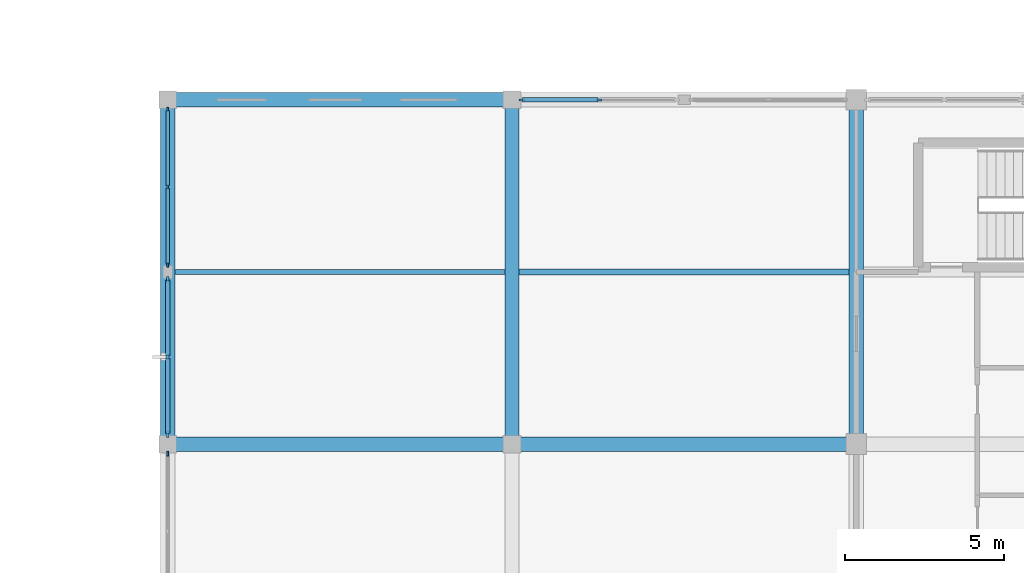
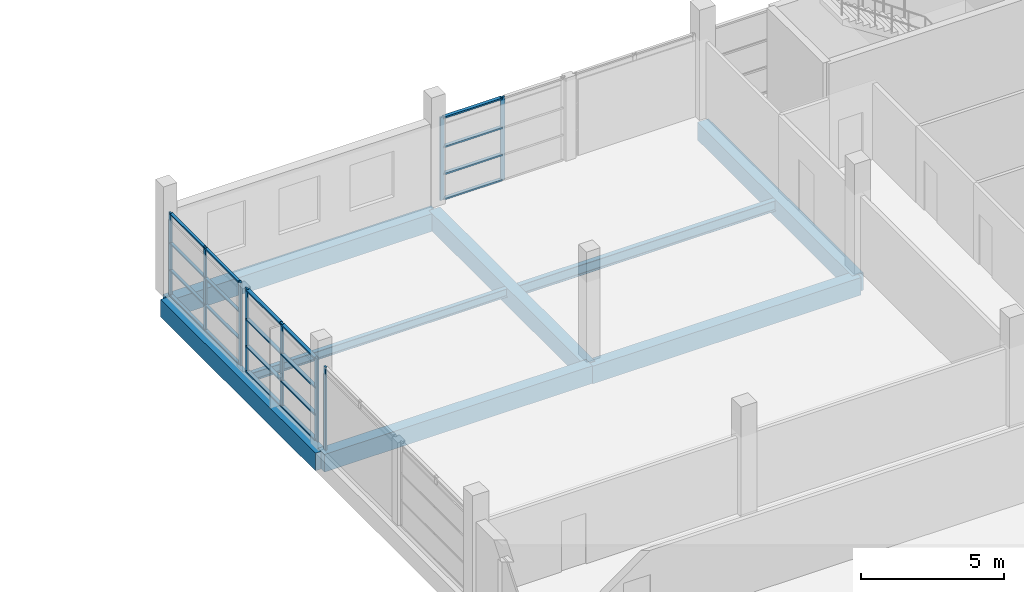
# One storey, part 7 of 24: 29 members, 8 beams, 4 elements without a shape of their own.
"""IFC4 building model written with IfcOpenShell, lengths in metres."""

import ifcopenshell
import ifcopenshell.guid

model = None  # the IFC model being written
_history = None  # IfcOwnerHistory: only IFC2X3 demands one
_inside = {}  # id of a spatial element -> (the spatial element, [elements in it])
_under = {}  # id of a project, library or spatial element -> (it, [spatial elements below it])
_declared = {}  # id of a project -> (the project, [libraries it declares])
_typed = {}  # id of a type object -> (the type object, [elements of that type])
_made_of = {}  # id of a material, layer set ... -> (it, [elements and type objects made of it])


def new_model(schema):
    """Start an empty IFC model of exactly this schema.

    Asked for "IFC4X3", IfcOpenShell would pick the latest addendum, in which some entities
    have other attributes; the version numbers below select the first issue.
    IFC2X3 requires an IfcOwnerHistory on every rooted entity: one is made here for all.
    """
    global model, _history
    if schema == "IFC4X3":
        model = ifcopenshell.file(schema_version=(4, 3, 0, 0))
    else:
        model = ifcopenshell.file(schema=schema)
    _inside.clear()
    _under.clear()
    _declared.clear()
    _typed.clear()
    _made_of.clear()
    _history = None
    if model.schema == "IFC2X3":
        org = make("IfcOrganization", Name="unknown")
        user = make(
            "IfcPersonAndOrganization",
            ThePerson=make("IfcPerson", FamilyName="unknown"),
            TheOrganization=org,
        )
        app = make(
            "IfcApplication",
            ApplicationDeveloper=org,
            Version="unknown",
            ApplicationFullName="unknown",
            ApplicationIdentifier="unknown",
        )
        _history = make(
            "IfcOwnerHistory",
            OwningUser=user,
            OwningApplication=app,
            ChangeAction="ADDED",
            CreationDate=0,
        )
    return model


def make(cls, **values):
    """One entity of the class cls with the attributes given. An attribute that is None is left unset."""
    return model.create_entity(
        cls, **{name: value for name, value in values.items() if value is not None}
    )


def rooted(cls, **values):
    """An entity with a GlobalId (a new one), such as an element, a storey or a relation."""
    return make(cls, GlobalId=ifcopenshell.guid.new(), OwnerHistory=_history, **values)


def si_unit(unit_type, name, prefix=None):
    """IfcSIUnit, for example si_unit("LENGTHUNIT", "METRE", prefix="MILLI")."""
    return make("IfcSIUnit", UnitType=unit_type, Prefix=prefix, Name=name)


def assignment(units):
    """IfcUnitAssignment: the units of a project."""
    return None if units is None else make("IfcUnitAssignment", Units=units)


def point(xyz):
    """IfcCartesianPoint."""
    return None if xyz is None else make("IfcCartesianPoint", Coordinates=xyz)


def direction(xyz):
    """IfcDirection."""
    return None if xyz is None else make("IfcDirection", DirectionRatios=xyz)


def frame(location, z_axis=None, x_axis=None):
    """IfcAxis2Placement3D, a coordinate frame: its origin and axes. An axis left out is left unset."""
    return make(
        "IfcAxis2Placement3D",
        Location=point(location),
        Axis=direction(z_axis),
        RefDirection=direction(x_axis),
    )


def frame_2d(location, x_axis=None):
    """IfcAxis2Placement2D, a coordinate frame in the plane: its origin and x axis."""
    return make(
        "IfcAxis2Placement2D", Location=point(location), RefDirection=direction(x_axis)
    )


def origin():
    """The frame at (0, 0, 0) with its axes left unset."""
    return frame((0.0, 0.0, 0.0))


def origin_2d():
    """The frame at (0, 0) in the plane with its x axis left unset."""
    return frame_2d((0.0, 0.0))


def place(relative_to, where):
    """IfcLocalPlacement: puts the frame where relative to a parent placement (None: the world)."""
    return make(
        "IfcLocalPlacement", PlacementRelTo=relative_to, RelativePlacement=where
    )


def context(
    kind, dimensions, precision=None, world=None, true_north=None, identifier=None
):
    """IfcGeometricRepresentationContext, for example the 3D "Model" context."""
    return make(
        "IfcGeometricRepresentationContext",
        ContextIdentifier=identifier,
        ContextType=kind,
        CoordinateSpaceDimension=dimensions,
        Precision=precision,
        WorldCoordinateSystem=world,
        TrueNorth=true_north,
    )


def subcontext(parent, identifier, kind, view, scale=None):
    """IfcGeometricRepresentationSubContext, for example "Body" below "Model"."""
    return make(
        "IfcGeometricRepresentationSubContext",
        ContextIdentifier=identifier,
        ContextType=kind,
        ParentContext=parent,
        TargetScale=scale,
        TargetView=view,
    )


def project(units=None, contexts=None):
    """IfcProject with its units and contexts."""
    return rooted(
        "IfcProject",
        Name="project",
        RepresentationContexts=contexts,
        UnitsInContext=assignment(units),
    )


def spatial(cls, under=None, at=None, **own):
    """A site, building, storey or space (cls), placed at a placement, below another one or the project."""
    s = rooted(cls, ObjectPlacement=at, **own)
    if under is not None:
        _under.setdefault(under.id(), (under, []))[1].append(s)
    return s


def profile(cls, at=None, kind="AREA", **sizes):
    """A parametric profile (cls). Its sizes go by their IFC names, for example OverallWidth=200.0."""
    return make(cls, ProfileType=kind, Position=at, **sizes)


def rectangle(**sizes):
    """IfcRectangleProfileDef."""
    return profile("IfcRectangleProfileDef", **sizes)


def i_section(**sizes):
    """IfcIShapeProfileDef."""
    return profile("IfcIShapeProfileDef", **sizes)


def extrude(swept, where, along, depth):
    """IfcExtrudedAreaSolid: the profile swept, set in the frame where, extruded along a direction by depth."""
    return make(
        "IfcExtrudedAreaSolid",
        SweptArea=swept,
        Position=where,
        ExtrudedDirection=direction(along),
        Depth=depth,
    )


def shape(context_of_items, identifier, shape_type, items):
    """IfcShapeRepresentation: the items that make up one representation, for example the "Body"."""
    return make(
        "IfcShapeRepresentation",
        ContextOfItems=context_of_items,
        RepresentationIdentifier=identifier,
        RepresentationType=shape_type,
        Items=items,
    )


def material(Name=None, Category=None):
    """IfcMaterial."""
    return make("IfcMaterial", Name=Name, Category=Category)


def material_profile(
    of_material, cross_section, Name=None, Category=None, Priority=None
):
    """IfcMaterialProfile: a cross section and its material."""
    return make(
        "IfcMaterialProfile",
        Name=Name,
        Material=of_material,
        Profile=cross_section,
        Priority=Priority,
        Category=Category,
    )


def profile_set(profiles, Name=None, composite=None):
    """IfcMaterialProfileSet."""
    return make(
        "IfcMaterialProfileSet",
        Name=Name,
        MaterialProfiles=profiles,
        CompositeProfile=composite,
    )


def made_of(thing, what):
    """Note that an element or type object is made of a material, layer set ...; save() writes the relation."""
    if what is not None:
        _made_of.setdefault(what.id(), (what, []))[1].append(thing)
    return thing


def type_object(cls, material=None, **own):
    """A type object (cls), such as IfcWallType, which elements share."""
    return made_of(rooted(cls, **own), material)


def element(
    cls,
    number,
    at=None,
    inside=None,
    cuts=None,
    type_object=None,
    material=None,
    context=None,
    identifier="Body",
    shape_type=None,
    held_by="IfcProductDefinitionShape",
    body=None,
    shapes=None,
    **own,
):
    """One element of the class cls, such as IfcWall. Its Tag is "e" and its number.

    at: its placement. inside: the storey or other place that contains it. cuts: it is an
    opening in that element (IfcRelVoidsElement). A single representation is given by context,
    identifier, shape_type and body (its items); several are given by shapes. held_by: the class
    of the entity that holds the representations. save() writes the other relations.
    """
    e = rooted(cls, Tag="e%d" % number, ObjectPlacement=at, **own)
    if body is not None:
        shapes = [shape(context, identifier, shape_type, body)]
    if shapes is not None:
        e.Representation = make(held_by, Representations=shapes)
    if inside is not None:
        _inside.setdefault(inside.id(), (inside, []))[1].append(e)
    if cuts is not None:
        rooted(
            "IfcRelVoidsElement", RelatingBuildingElement=cuts, RelatedOpeningElement=e
        )
    if type_object is not None:
        _typed.setdefault(type_object.id(), (type_object, []))[1].append(e)
    return made_of(e, material)


def aggregate(whole, parts):
    """IfcRelAggregates: a whole, such as a stair, and the parts it consists of."""
    return rooted("IfcRelAggregates", RelatingObject=whole, RelatedObjects=parts)


def save(model, path):
    """Write the relations noted so far, then the file.

    IfcRelAggregates (storeys below a building ...), IfcRelContainedInSpatialStructure (elements
    in a storey), IfcRelDefinesByType, IfcRelAssociatesMaterial and IfcRelDeclares: one each for
    every whole, place, type object, material and project.
    """
    for whole, parts in _under.values():
        aggregate(whole, parts)
    for where, things in _inside.values():
        rooted(
            "IfcRelContainedInSpatialStructure",
            RelatedElements=things,
            RelatingStructure=where,
        )
    for kind, things in _typed.values():
        rooted("IfcRelDefinesByType", RelatedObjects=things, RelatingType=kind)
    for what, things in _made_of.values():
        rooted("IfcRelAssociatesMaterial", RelatedObjects=things, RelatingMaterial=what)
    for by, libraries in _declared.values():
        rooted("IfcRelDeclares", RelatingContext=by, RelatedDefinitions=libraries)
    model.write(path)


model = new_model("IFC4")

# Units and contexts
model_context = context("Model", 3, precision=1e-05, world=origin(), true_north=direction((0.0, 1.0)))
body_context = subcontext(model_context, "Body", "Model", "MODEL_VIEW")
ifc_project = project(units=[si_unit("LENGTHUNIT", "METRE"), si_unit("AREAUNIT", "SQUARE_METRE"), si_unit("VOLUMEUNIT", "CUBIC_METRE"), si_unit("PLANEANGLEUNIT", "RADIAN"), si_unit("MASSUNIT", "GRAM", prefix="KILO")], contexts=[model_context])

# Site, building, storey
site_placement = place(None, origin())
site = spatial("IfcSite", under=ifc_project, at=site_placement, CompositionType="ELEMENT")
building_placement = place(site_placement, origin())
building = spatial("IfcBuilding", under=site, at=building_placement, Name="Zwinboog Wholesale Market", CompositionType="ELEMENT")
storey_placement = place(building_placement, frame((0.0, 0.0, 10.080078125)))
storey = spatial("IfcBuildingStorey", under=building, at=storey_placement, Name="L02", CompositionType="ELEMENT", Elevation=10.080078125)

# Beams
ifc_material_1 = material(Name="Precast concrete C45/55", Category="concrete")
ifc_material_profile_1 = material_profile(ifc_material_1, rectangle(XDim=0.449951171875, YDim=0.75, at=origin_2d()), Name="PC 450x750")
ifc_profile_set_1 = profile_set([ifc_material_profile_1], Name="Precast concrete C45/55")
beam_type_1 = type_object("IfcBeamType", Name="BT-04", PredefinedType="BEAM", material=ifc_profile_set_1)
beam_1_placement = place(storey_placement, frame((129.60009765625, 32.39990234375, -0.655029296875), z_axis=(1.0, 0.0, 0.0), x_axis=(0.0, 1.0, 0.0)))
element("IfcBeam", 1, at=beam_1_placement, inside=storey, type_object=beam_type_1, Name="BG-04 (BMG-L02-1296-0324-0941)", PredefinedType="BEAM", context=body_context, shape_type="SweptSolid", body=[
    extrude(rectangle(XDim=0.449951171875, YDim=0.75, at=origin_2d()), origin(), (0.0, 0.0, 1.0), 10.7998046875),
])
beam_2_placement = place(storey_placement, frame((140.39990234375, 32.39990234375, -0.68017578125), z_axis=(1.0, 0.0, 0.0), x_axis=(0.0, 1.0, 0.0)))
element("IfcBeam", 2, at=beam_2_placement, inside=storey, type_object=beam_type_1, Name="BG-04 (BMG-L02-1404-0324-0942)", PredefinedType="BEAM", context=body_context, shape_type="SweptSolid", body=[
    extrude(rectangle(XDim=0.449951171875, YDim=0.75, at=origin_2d()), origin(), (0.0, 0.0, 1.0), 10.800048828125),
])
beam_3_placement = place(storey_placement, frame((129.60009765625, 43.199951171875, -0.655029296875), z_axis=(1.0, 0.0, 0.0), x_axis=(0.0, 1.0, 0.0)))
element("IfcBeam", 3, at=beam_3_placement, inside=storey, type_object=beam_type_1, Name="BG-04 (BMG-L02-1296-0432-0949)", PredefinedType="BEAM", context=body_context, shape_type="SweptSolid", body=[
    extrude(rectangle(XDim=0.449951171875, YDim=0.75, at=origin_2d()), origin(), (0.0, 0.0, 1.0), 10.7998046875),
])
for number, where, z_axis, x_axis, name in (
    (4, (129.60009765625, 32.39990234375, -0.655029296875), (0.0, 1.0, 0.0), (-1.0, 0.0, 0.0), "BG-04 (BMG-L02-1296-0324-0956)"),
    (5, (140.39990234375, 32.39990234375, -0.655029296875), (0.0, 1.0, 0.0), (-1.0, 0.0, 0.0), "BG-04 (BMG-L02-1404-0324-0960)"),
    (6, (151.199951171875, 32.39990234375, -0.68017578125), (0.0, 1.0, 0.0), (-1.0, 0.0, 0.0), "BG-04 (BMG-L02-1512-0324-0964)"),
):
    element("IfcBeam", number, at=place(storey_placement, frame(where, z_axis=z_axis, x_axis=x_axis)), inside=storey, type_object=beam_type_1, Name=name, PredefinedType="BEAM", context=body_context, shape_type="SweptSolid", body=[
        extrude(rectangle(XDim=0.449951171875, YDim=0.75, at=origin_2d()), origin(), (0.0, 0.0, 1.0), 10.800048828125),
    ])
ifc_material_2 = material(Name="Steel S355", Category="steel")
ifc_material_profile_2 = material_profile(ifc_material_2, i_section(OverallWidth=0.18994140625, OverallDepth=0.449951171875, WebThickness=0.009521484375, FlangeThickness=0.0146484375, FilletRadius=0.02099609375, at=origin_2d()), Name="IPE 450")
ifc_profile_set_2 = profile_set([ifc_material_profile_2], Name="Steel S355")
beam_type_2 = type_object("IfcBeamType", Name="BT-19", PredefinedType="JOIST", material=ifc_profile_set_2)
beam_4_placement = place(storey_placement, frame((140.625, 37.800048828125, -0.530029296875), z_axis=(1.0, 0.0, 0.0), x_axis=(0.0, 1.0, 0.0)))
element("IfcBeam", 7, at=beam_4_placement, inside=storey, type_object=beam_type_2, Name="SJ-02 (BMG-L02-1406-0378-1002)", PredefinedType="JOIST", context=body_context, shape_type="SweptSolid", body=[
    extrude(i_section(OverallWidth=0.18994140625, OverallDepth=0.449951171875, WebThickness=0.009521484375, FlangeThickness=0.0146484375, FilletRadius=0.02099609375, at=origin_2d()), origin(), (0.0, 0.0, 1.0), 10.35009765625),
])
ifc_material_profile_3 = material_profile(ifc_material_2, i_section(OverallWidth=0.169921875, OverallDepth=0.360107421875, WebThickness=0.008056640625, FlangeThickness=0.0126953125, FilletRadius=0.01806640625, at=origin_2d()), Name="IPE 360")
ifc_profile_set_3 = profile_set([ifc_material_profile_3], Name="Steel S355")
beam_type_3 = type_object("IfcBeamType", Name="BT-20", PredefinedType="JOIST", material=ifc_profile_set_3)
beam_5_placement = place(storey_placement, frame((129.824951171875, 37.800048828125, -0.4599609375), z_axis=(1.0, 0.0, 0.0), x_axis=(0.0, 1.0, 0.0)))
element("IfcBeam", 8, at=beam_5_placement, inside=storey, type_object=beam_type_3, Name="SJ-03 (BMG-L02-1298-0378-0998)", PredefinedType="JOIST", context=body_context, shape_type="SweptSolid", body=[
    extrude(i_section(OverallWidth=0.169921875, OverallDepth=0.360107421875, WebThickness=0.008056640625, FlangeThickness=0.0126953125, FilletRadius=0.01806640625, at=origin_2d()), origin(), (0.0, 0.0, 1.0), 10.35009765625),
])

# Curtain wall, members
ifc_material_3 = material(Name="Aluminium thermally broken curtain wall", Category="aluminium")
curtain_wall_type_1 = type_object("IfcCurtainWallType", Name="CWT-HALL-24", PredefinedType="USERDEFINED", material=ifc_material_3)
curtain_wall_1_placement = place(storey_placement, origin())
curtain_wall_1 = element("IfcCurtainWall", 9, at=curtain_wall_1_placement, inside=storey, type_object=curtain_wall_type_1, Name="CW-03 (CW-L02-159)", ObjectType="UNITIZED_CURTAIN_WALL", PredefinedType="USERDEFINED")
ifc_material_4 = material(Name="Aluminium EN AW-6060", Category="aluminium")
ifc_material_profile_4 = material_profile(ifc_material_4, rectangle(XDim=0.06494140625, YDim=0.179931640625, at=origin_2d()), Name="AL 65x180")
ifc_profile_set_4 = profile_set([ifc_material_profile_4], Name="Aluminium EN AW-6060")
member_type_1 = type_object("IfcMemberType", Name="CWM-65x180", PredefinedType="MULLION", material=ifc_profile_set_4)
member_1_placement = place(storey_placement, frame((129.60009765625, 32.702392578125, 0.0), z_axis=(0.0, 0.0, 1.0), x_axis=(-1.0, 0.0, 0.0)))
member_1 = element("IfcMember", 10, at=member_1_placement, type_object=member_type_1, Name="CW-03 mullion 1", PredefinedType="MULLION", context=body_context, shape_type="SweptSolid", body=[
    extrude(rectangle(XDim=0.06494140625, YDim=0.179931640625, at=origin_2d()), origin(), (0.0, 0.0, 1.0), 3.530029296875),
])
member_2_placement = place(storey_placement, frame((129.60009765625, 35.135009765625, 0.0), z_axis=(0.0, 0.0, 1.0), x_axis=(-1.0, 0.0, 0.0)))
member_2 = element("IfcMember", 11, at=member_2_placement, type_object=member_type_1, Name="CW-03 mullion 2", PredefinedType="MULLION", context=body_context, shape_type="SweptSolid", body=[
    extrude(rectangle(XDim=0.06494140625, YDim=0.179931640625, at=origin_2d()), origin(), (0.0, 0.0, 1.0), 3.530029296875),
])
member_3_placement = place(storey_placement, frame((129.60009765625, 37.5673828125, 0.0), z_axis=(0.0, 0.0, 1.0), x_axis=(-1.0, 0.0, 0.0)))
member_3 = element("IfcMember", 12, at=member_3_placement, type_object=member_type_1, Name="CW-03 mullion 3", PredefinedType="MULLION", context=body_context, shape_type="SweptSolid", body=[
    extrude(rectangle(XDim=0.06494140625, YDim=0.179931640625, at=origin_2d()), origin(), (0.0, 0.0, 1.0), 3.530029296875),
])

curtain_wall_type_2 = type_object("IfcCurtainWallType", Name="CWT-CAFE-22", PredefinedType="USERDEFINED", material=ifc_material_3)
curtain_wall_2_placement = place(storey_placement, origin())
curtain_wall_2 = element("IfcCurtainWall", 13, at=curtain_wall_2_placement, inside=storey, type_object=curtain_wall_type_2, Name="CW-05 (CW-L02-161)", ObjectType="STOREFRONT_GLAZING", PredefinedType="USERDEFINED")
member_4_placement = place(storey_placement, frame((140.702392578125, 43.199951171875, 0.0), z_axis=(0.0, 0.0, 1.0), x_axis=(0.0, 1.0, 0.0)))
member_4 = element("IfcMember", 14, at=member_4_placement, type_object=member_type_1, Name="CW-05 mullion 1", PredefinedType="MULLION", context=body_context, shape_type="SweptSolid", body=[
    extrude(rectangle(XDim=0.06494140625, YDim=0.179931640625, at=origin_2d()), origin(), (0.0, 0.0, 1.0), 3.530029296875),
])
member_5_placement = place(storey_placement, frame((143.135009765625, 43.199951171875, 0.0), z_axis=(0.0, 0.0, 1.0), x_axis=(0.0, 1.0, 0.0)))
member_5 = element("IfcMember", 15, at=member_5_placement, type_object=member_type_1, Name="CW-05 mullion 2", PredefinedType="MULLION", context=body_context, shape_type="SweptSolid", body=[
    extrude(rectangle(XDim=0.06494140625, YDim=0.179931640625, at=origin_2d()), origin(), (0.0, 0.0, 1.0), 3.530029296875),
])

# Curtain wall, member
curtain_wall_type_3 = type_object("IfcCurtainWallType", Name="CWT-STALL-20", PredefinedType="USERDEFINED", material=ifc_material_3)
curtain_wall_3_placement = place(storey_placement, origin())
curtain_wall_3 = element("IfcCurtainWall", 16, at=curtain_wall_3_placement, inside=storey, type_object=curtain_wall_type_3, Name="CW-02 (CW-L02-158)", ObjectType="STOREFRONT_GLAZING", PredefinedType="USERDEFINED")
ifc_material_profile_5 = material_profile(ifc_material_4, rectangle(XDim=0.06005859375, YDim=0.14990234375, at=origin_2d()), Name="AL 60x150")
ifc_profile_set_5 = profile_set([ifc_material_profile_5], Name="Aluminium EN AW-6060")
member_type_2 = type_object("IfcMemberType", Name="CWM-60x150", PredefinedType="MULLION", material=ifc_profile_set_5)
member_6_placement = place(storey_placement, frame((129.60009765625, 32.10009765625, 0.0), z_axis=(0.0, 0.0, 1.0), x_axis=(-1.0, 0.0, 0.0)))
member_6 = element("IfcMember", 17, at=member_6_placement, type_object=member_type_2, Name="CW-02 mullion 3", PredefinedType="MULLION", context=body_context, shape_type="SweptSolid", body=[
    extrude(rectangle(XDim=0.06005859375, YDim=0.14990234375, at=origin_2d()), origin(), (0.0, 0.0, 1.0), 3.530029296875),
])
aggregate(curtain_wall_3, [member_6])

# Curtain wall, members
curtain_wall_type_4 = type_object("IfcCurtainWallType", Name="CWT-GAL-16", PredefinedType="USERDEFINED", material=ifc_material_3)
curtain_wall_4_placement = place(storey_placement, origin())
curtain_wall_4 = element("IfcCurtainWall", 18, at=curtain_wall_4_placement, inside=storey, type_object=curtain_wall_type_4, Name="CW-04 (CW-L02-160)", ObjectType="UNITIZED_CURTAIN_WALL", PredefinedType="USERDEFINED")
member_7_placement = place(storey_placement, frame((129.60009765625, 38.030029296875, 0.0), z_axis=(0.0, 0.0, 1.0), x_axis=(-1.0, 0.0, 0.0)))
member_7 = element("IfcMember", 19, at=member_7_placement, type_object=member_type_2, Name="CW-04 mullion 1", PredefinedType="MULLION", context=body_context, shape_type="SweptSolid", body=[
    extrude(rectangle(XDim=0.06005859375, YDim=0.14990234375, at=origin_2d()), origin(), (0.0, 0.0, 1.0), 3.530029296875),
])
member_8_placement = place(storey_placement, frame((129.60009765625, 40.465087890625, 0.0), z_axis=(0.0, 0.0, 1.0), x_axis=(-1.0, 0.0, 0.0)))
member_8 = element("IfcMember", 20, at=member_8_placement, type_object=member_type_2, Name="CW-04 mullion 2", PredefinedType="MULLION", context=body_context, shape_type="SweptSolid", body=[
    extrude(rectangle(XDim=0.06005859375, YDim=0.14990234375, at=origin_2d()), origin(), (0.0, 0.0, 1.0), 3.530029296875),
])
member_9_placement = place(storey_placement, frame((129.60009765625, 42.89990234375, 0.0), z_axis=(0.0, 0.0, 1.0), x_axis=(-1.0, 0.0, 0.0)))
member_9 = element("IfcMember", 21, at=member_9_placement, type_object=member_type_2, Name="CW-04 mullion 3", PredefinedType="MULLION", context=body_context, shape_type="SweptSolid", body=[
    extrude(rectangle(XDim=0.06005859375, YDim=0.14990234375, at=origin_2d()), origin(), (0.0, 0.0, 1.0), 3.530029296875),
])

# Member
ifc_material_profile_6 = material_profile(ifc_material_4, rectangle(XDim=0.139892578125, YDim=0.06494140625, at=origin_2d()), Name="AL 65x140")
ifc_profile_set_6 = profile_set([ifc_material_profile_6], Name="Aluminium EN AW-6060")
member_type_3 = type_object("IfcMemberType", Name="CWT-65x140", PredefinedType="USERDEFINED", material=ifc_profile_set_6)
member_10_placement = place(storey_placement, frame((129.60009765625, 32.735107421875, 0.032470703125), z_axis=(0.0, 1.0, 0.0), x_axis=(-1.0, 0.0, 0.0)))
member_10 = element("IfcMember", 22, at=member_10_placement, type_object=member_type_3, Name="CW-03 transom 1.1", ObjectType="TRANSOM", PredefinedType="USERDEFINED", context=body_context, shape_type="SweptSolid", body=[
    extrude(rectangle(XDim=0.139892578125, YDim=0.06494140625, at=origin_2d()), origin(), (0.0, 0.0, 1.0), 2.367431640625),
])

member_11_placement = place(storey_placement, frame((129.60009765625, 32.735107421875, 1.099853515625), z_axis=(0.0, 1.0, 0.0), x_axis=(-1.0, 0.0, 0.0)))
member_11 = element("IfcMember", 23, at=member_11_placement, type_object=member_type_3, Name="CW-03 transom 1.2", ObjectType="TRANSOM", PredefinedType="USERDEFINED", context=body_context, shape_type="SweptSolid", body=[
    extrude(rectangle(XDim=0.139892578125, YDim=0.06494140625, at=origin_2d()), origin(), (0.0, 0.0, 1.0), 2.367431640625),
])

member_12_placement = place(storey_placement, frame((129.60009765625, 32.735107421875, 2.25), z_axis=(0.0, 1.0, 0.0), x_axis=(-1.0, 0.0, 0.0)))
member_12 = element("IfcMember", 24, at=member_12_placement, type_object=member_type_3, Name="CW-03 transom 1.3", ObjectType="TRANSOM", PredefinedType="USERDEFINED", context=body_context, shape_type="SweptSolid", body=[
    extrude(rectangle(XDim=0.139892578125, YDim=0.06494140625, at=origin_2d()), origin(), (0.0, 0.0, 1.0), 2.367431640625),
])

member_13_placement = place(storey_placement, frame((129.60009765625, 32.735107421875, 3.497314453125), z_axis=(0.0, 1.0, 0.0), x_axis=(-1.0, 0.0, 0.0)))
member_13 = element("IfcMember", 25, at=member_13_placement, type_object=member_type_3, Name="CW-03 transom 1.4", ObjectType="TRANSOM", PredefinedType="USERDEFINED", context=body_context, shape_type="SweptSolid", body=[
    extrude(rectangle(XDim=0.139892578125, YDim=0.06494140625, at=origin_2d()), origin(), (0.0, 0.0, 1.0), 2.367431640625),
])

member_14_placement = place(storey_placement, frame((129.60009765625, 35.16748046875, 0.032470703125), z_axis=(0.0, 1.0, 0.0), x_axis=(-1.0, 0.0, 0.0)))
member_14 = element("IfcMember", 26, at=member_14_placement, type_object=member_type_3, Name="CW-03 transom 2.1", ObjectType="TRANSOM", PredefinedType="USERDEFINED", context=body_context, shape_type="SweptSolid", body=[
    extrude(rectangle(XDim=0.139892578125, YDim=0.06494140625, at=origin_2d()), origin(), (0.0, 0.0, 1.0), 2.367431640625),
])

member_15_placement = place(storey_placement, frame((129.60009765625, 35.16748046875, 1.099853515625), z_axis=(0.0, 1.0, 0.0), x_axis=(-1.0, 0.0, 0.0)))
member_15 = element("IfcMember", 27, at=member_15_placement, type_object=member_type_3, Name="CW-03 transom 2.2", ObjectType="TRANSOM", PredefinedType="USERDEFINED", context=body_context, shape_type="SweptSolid", body=[
    extrude(rectangle(XDim=0.139892578125, YDim=0.06494140625, at=origin_2d()), origin(), (0.0, 0.0, 1.0), 2.367431640625),
])

member_16_placement = place(storey_placement, frame((129.60009765625, 35.16748046875, 2.25), z_axis=(0.0, 1.0, 0.0), x_axis=(-1.0, 0.0, 0.0)))
member_16 = element("IfcMember", 28, at=member_16_placement, type_object=member_type_3, Name="CW-03 transom 2.3", ObjectType="TRANSOM", PredefinedType="USERDEFINED", context=body_context, shape_type="SweptSolid", body=[
    extrude(rectangle(XDim=0.139892578125, YDim=0.06494140625, at=origin_2d()), origin(), (0.0, 0.0, 1.0), 2.367431640625),
])

member_17_placement = place(storey_placement, frame((129.60009765625, 35.16748046875, 3.497314453125), z_axis=(0.0, 1.0, 0.0), x_axis=(-1.0, 0.0, 0.0)))
member_17 = element("IfcMember", 29, at=member_17_placement, type_object=member_type_3, Name="CW-03 transom 2.4", ObjectType="TRANSOM", PredefinedType="USERDEFINED", context=body_context, shape_type="SweptSolid", body=[
    extrude(rectangle(XDim=0.139892578125, YDim=0.06494140625, at=origin_2d()), origin(), (0.0, 0.0, 1.0), 2.367431640625),
])

aggregate(curtain_wall_1, [member_1, member_2, member_3, member_10, member_11, member_12, member_13, member_14, member_15, member_16, member_17])

member_18_placement = place(storey_placement, frame((140.735107421875, 43.199951171875, 0.032470703125), z_axis=(1.0, 0.0, 0.0), x_axis=(0.0, 1.0, 0.0)))
member_18 = element("IfcMember", 30, at=member_18_placement, type_object=member_type_3, Name="CW-05 transom 1.1", ObjectType="TRANSOM", PredefinedType="USERDEFINED", context=body_context, shape_type="SweptSolid", body=[
    extrude(rectangle(XDim=0.139892578125, YDim=0.06494140625, at=origin_2d()), origin(), (0.0, 0.0, 1.0), 2.367431640625),
])

member_19_placement = place(storey_placement, frame((140.735107421875, 43.199951171875, 1.099853515625), z_axis=(1.0, 0.0, 0.0), x_axis=(0.0, 1.0, 0.0)))
member_19 = element("IfcMember", 31, at=member_19_placement, type_object=member_type_3, Name="CW-05 transom 1.2", ObjectType="TRANSOM", PredefinedType="USERDEFINED", context=body_context, shape_type="SweptSolid", body=[
    extrude(rectangle(XDim=0.139892578125, YDim=0.06494140625, at=origin_2d()), origin(), (0.0, 0.0, 1.0), 2.367431640625),
])

member_20_placement = place(storey_placement, frame((140.735107421875, 43.199951171875, 2.25), z_axis=(1.0, 0.0, 0.0), x_axis=(0.0, 1.0, 0.0)))
member_20 = element("IfcMember", 32, at=member_20_placement, type_object=member_type_3, Name="CW-05 transom 1.3", ObjectType="TRANSOM", PredefinedType="USERDEFINED", context=body_context, shape_type="SweptSolid", body=[
    extrude(rectangle(XDim=0.139892578125, YDim=0.06494140625, at=origin_2d()), origin(), (0.0, 0.0, 1.0), 2.367431640625),
])

member_21_placement = place(storey_placement, frame((140.735107421875, 43.199951171875, 3.497314453125), z_axis=(1.0, 0.0, 0.0), x_axis=(0.0, 1.0, 0.0)))
member_21 = element("IfcMember", 33, at=member_21_placement, type_object=member_type_3, Name="CW-05 transom 1.4", ObjectType="TRANSOM", PredefinedType="USERDEFINED", context=body_context, shape_type="SweptSolid", body=[
    extrude(rectangle(XDim=0.139892578125, YDim=0.06494140625, at=origin_2d()), origin(), (0.0, 0.0, 1.0), 2.367431640625),
])

aggregate(curtain_wall_2, [member_4, member_5, member_18, member_19, member_20, member_21])

ifc_material_profile_7 = material_profile(ifc_material_4, rectangle(XDim=0.110107421875, YDim=0.06005859375, at=origin_2d()), Name="AL 60x110")
ifc_profile_set_7 = profile_set([ifc_material_profile_7], Name="Aluminium EN AW-6060")
member_type_4 = type_object("IfcMemberType", Name="CWT-60x110", PredefinedType="USERDEFINED", material=ifc_profile_set_7)
member_22_placement = place(storey_placement, frame((129.60009765625, 38.06005859375, 0.030029296875), z_axis=(0.0, 1.0, 0.0), x_axis=(-1.0, 0.0, 0.0)))
member_22 = element("IfcMember", 34, at=member_22_placement, type_object=member_type_4, Name="CW-04 transom 1.1", ObjectType="TRANSOM", PredefinedType="USERDEFINED", context=body_context, shape_type="SweptSolid", body=[
    extrude(rectangle(XDim=0.110107421875, YDim=0.06005859375, at=origin_2d()), origin(), (0.0, 0.0, 1.0), 2.375),
])

member_23_placement = place(storey_placement, frame((129.60009765625, 38.06005859375, 1.099853515625), z_axis=(0.0, 1.0, 0.0), x_axis=(-1.0, 0.0, 0.0)))
member_23 = element("IfcMember", 35, at=member_23_placement, type_object=member_type_4, Name="CW-04 transom 1.2", ObjectType="TRANSOM", PredefinedType="USERDEFINED", context=body_context, shape_type="SweptSolid", body=[
    extrude(rectangle(XDim=0.110107421875, YDim=0.06005859375, at=origin_2d()), origin(), (0.0, 0.0, 1.0), 2.375),
])

member_24_placement = place(storey_placement, frame((129.60009765625, 38.06005859375, 2.25), z_axis=(0.0, 1.0, 0.0), x_axis=(-1.0, 0.0, 0.0)))
member_24 = element("IfcMember", 36, at=member_24_placement, type_object=member_type_4, Name="CW-04 transom 1.3", ObjectType="TRANSOM", PredefinedType="USERDEFINED", context=body_context, shape_type="SweptSolid", body=[
    extrude(rectangle(XDim=0.110107421875, YDim=0.06005859375, at=origin_2d()), origin(), (0.0, 0.0, 1.0), 2.375),
])

member_25_placement = place(storey_placement, frame((129.60009765625, 38.06005859375, 3.5), z_axis=(0.0, 1.0, 0.0), x_axis=(-1.0, 0.0, 0.0)))
member_25 = element("IfcMember", 37, at=member_25_placement, type_object=member_type_4, Name="CW-04 transom 1.4", ObjectType="TRANSOM", PredefinedType="USERDEFINED", context=body_context, shape_type="SweptSolid", body=[
    extrude(rectangle(XDim=0.110107421875, YDim=0.06005859375, at=origin_2d()), origin(), (0.0, 0.0, 1.0), 2.375),
])

member_26_placement = place(storey_placement, frame((129.60009765625, 40.4951171875, 0.030029296875), z_axis=(0.0, 1.0, 0.0), x_axis=(-1.0, 0.0, 0.0)))
member_26 = element("IfcMember", 38, at=member_26_placement, type_object=member_type_4, Name="CW-04 transom 2.1", ObjectType="TRANSOM", PredefinedType="USERDEFINED", context=body_context, shape_type="SweptSolid", body=[
    extrude(rectangle(XDim=0.110107421875, YDim=0.06005859375, at=origin_2d()), origin(), (0.0, 0.0, 1.0), 2.375),
])

member_27_placement = place(storey_placement, frame((129.60009765625, 40.4951171875, 1.099853515625), z_axis=(0.0, 1.0, 0.0), x_axis=(-1.0, 0.0, 0.0)))
member_27 = element("IfcMember", 39, at=member_27_placement, type_object=member_type_4, Name="CW-04 transom 2.2", ObjectType="TRANSOM", PredefinedType="USERDEFINED", context=body_context, shape_type="SweptSolid", body=[
    extrude(rectangle(XDim=0.110107421875, YDim=0.06005859375, at=origin_2d()), origin(), (0.0, 0.0, 1.0), 2.375),
])

member_28_placement = place(storey_placement, frame((129.60009765625, 40.4951171875, 2.25), z_axis=(0.0, 1.0, 0.0), x_axis=(-1.0, 0.0, 0.0)))
member_28 = element("IfcMember", 40, at=member_28_placement, type_object=member_type_4, Name="CW-04 transom 2.3", ObjectType="TRANSOM", PredefinedType="USERDEFINED", context=body_context, shape_type="SweptSolid", body=[
    extrude(rectangle(XDim=0.110107421875, YDim=0.06005859375, at=origin_2d()), origin(), (0.0, 0.0, 1.0), 2.375),
])

member_29_placement = place(storey_placement, frame((129.60009765625, 40.4951171875, 3.5), z_axis=(0.0, 1.0, 0.0), x_axis=(-1.0, 0.0, 0.0)))
member_29 = element("IfcMember", 41, at=member_29_placement, type_object=member_type_4, Name="CW-04 transom 2.4", ObjectType="TRANSOM", PredefinedType="USERDEFINED", context=body_context, shape_type="SweptSolid", body=[
    extrude(rectangle(XDim=0.110107421875, YDim=0.06005859375, at=origin_2d()), origin(), (0.0, 0.0, 1.0), 2.375),
])

aggregate(curtain_wall_4, [member_7, member_8, member_9, member_22, member_23, member_24, member_25, member_26, member_27, member_28, member_29])

save(model, "model.ifc")
